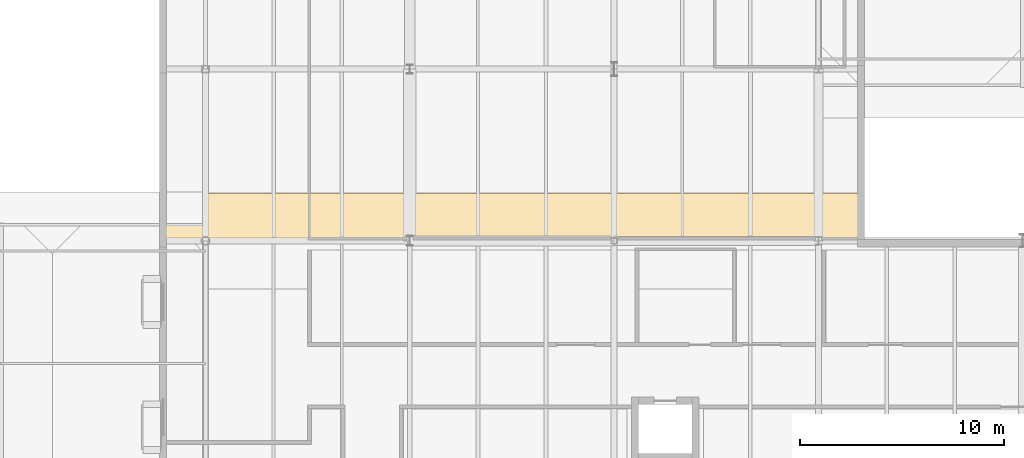
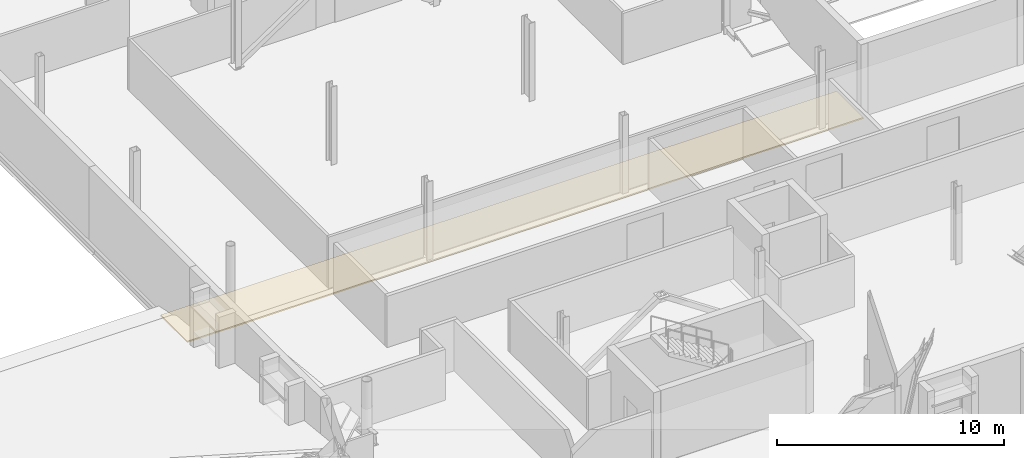
# One storey, part 83 of 90: 1 covering.
"""IFC4 building model written with IfcOpenShell, lengths in metres."""

from ifc_helpers import new_model, si_unit, direction, frame, origin, place, context, subcontext, project, spatial, polyline, outline, extrude, material, layer, layer_set, type_object, element, save


model = new_model("IFC4")

# Units and contexts
model_context = context("Model", 3, precision=1e-05, world=origin(), true_north=direction((0.0, 1.0)))
body_context = subcontext(model_context, "Body", "Model", "MODEL_VIEW")
ifc_project = project(units=[si_unit("LENGTHUNIT", "METRE"), si_unit("AREAUNIT", "SQUARE_METRE"), si_unit("VOLUMEUNIT", "CUBIC_METRE"), si_unit("PLANEANGLEUNIT", "RADIAN"), si_unit("MASSUNIT", "GRAM", prefix="KILO")], contexts=[model_context])

# Site, building, storey
site_placement = place(None, origin())
site = spatial("IfcSite", under=ifc_project, at=site_placement, CompositionType="ELEMENT")
building_placement = place(site_placement, origin())
building = spatial("IfcBuilding", under=site, at=building_placement, Name="Zereglee Splitstone Museum", CompositionType="ELEMENT")
storey_placement = place(building_placement, frame((0.0, 0.0, 4.800048828125)))
storey = spatial("IfcBuildingStorey", under=building, at=storey_placement, Name="L01", CompositionType="ELEMENT", Elevation=4.800048828125)

# Covering
ifc_material = material(Name="Honed Gobi pale limestone stringcourse and soffit cladding", Category="masonry")
ifc_layer = layer(ifc_material, 0.070068359375)
ifc_layer_set = layer_set([ifc_layer], Name="Honed Gobi pale limestone stringcourse and soffit cladding")
covering_type = type_object("IfcCoveringType", Name="CL-02", PredefinedType="CLADDING", material=ifc_layer_set)
covering_placement = place(storey_placement, frame((0.0, 0.0, -0.35009765625)))
element("IfcCovering", 1, at=covering_placement, inside=storey, type_object=covering_type, Name="Hovering Stone Plinth Soffit Apron 009", PredefinedType="CLADDING", context=body_context, shape_type="SweptSolid", body=[
    extrude(outline(polyline([(173.0, 21.60009765625), (207.39990234375, 21.60009765625), (207.39990234375, 23.949951171875), (173.0, 23.949951171875), (173.0, 21.60009765625)])), origin(), (0.0, 0.0, 1.0), 0.070068359375),
])

save(model, "model.ifc")
